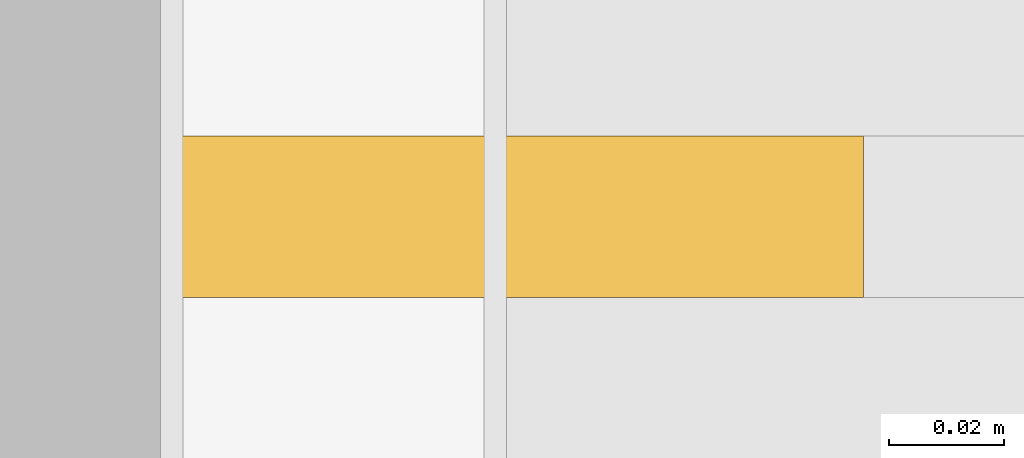
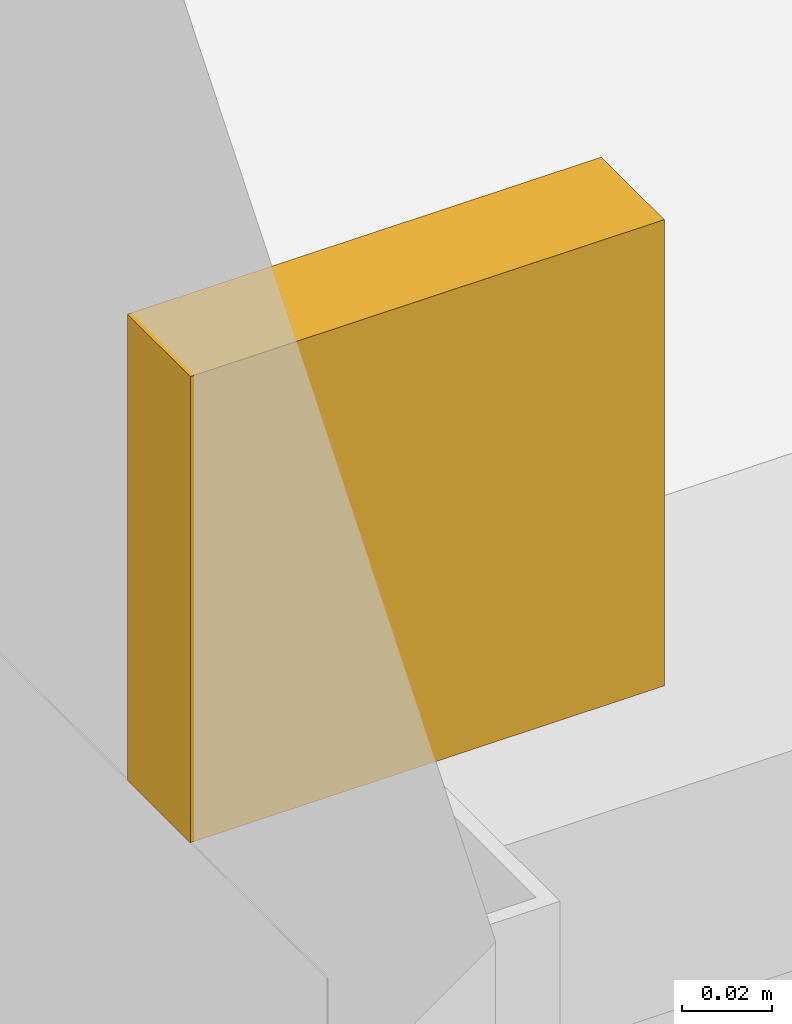
# One storey, part 126 of 130: 1 covering.
"""IFC4 building model written with IfcOpenShell, lengths in metres."""

import ifcopenshell
import ifcopenshell.guid

model = None  # the IFC model being written
_history = None  # IfcOwnerHistory: only IFC2X3 demands one
_inside = {}  # id of a spatial element -> (the spatial element, [elements in it])
_under = {}  # id of a project, library or spatial element -> (it, [spatial elements below it])
_declared = {}  # id of a project -> (the project, [libraries it declares])
_typed = {}  # id of a type object -> (the type object, [elements of that type])
_made_of = {}  # id of a material, layer set ... -> (it, [elements and type objects made of it])


def new_model(schema):
    """Start an empty IFC model of exactly this schema.

    Asked for "IFC4X3", IfcOpenShell would pick the latest addendum, in which some entities
    have other attributes; the version numbers below select the first issue.
    IFC2X3 requires an IfcOwnerHistory on every rooted entity: one is made here for all.
    """
    global model, _history
    if schema == "IFC4X3":
        model = ifcopenshell.file(schema_version=(4, 3, 0, 0))
    else:
        model = ifcopenshell.file(schema=schema)
    _inside.clear()
    _under.clear()
    _declared.clear()
    _typed.clear()
    _made_of.clear()
    _history = None
    if model.schema == "IFC2X3":
        org = make("IfcOrganization", Name="unknown")
        user = make(
            "IfcPersonAndOrganization",
            ThePerson=make("IfcPerson", FamilyName="unknown"),
            TheOrganization=org,
        )
        app = make(
            "IfcApplication",
            ApplicationDeveloper=org,
            Version="unknown",
            ApplicationFullName="unknown",
            ApplicationIdentifier="unknown",
        )
        _history = make(
            "IfcOwnerHistory",
            OwningUser=user,
            OwningApplication=app,
            ChangeAction="ADDED",
            CreationDate=0,
        )
    return model


def make(cls, **values):
    """One entity of the class cls with the attributes given. An attribute that is None is left unset."""
    return model.create_entity(
        cls, **{name: value for name, value in values.items() if value is not None}
    )


def rooted(cls, **values):
    """An entity with a GlobalId (a new one), such as an element, a storey or a relation."""
    return make(cls, GlobalId=ifcopenshell.guid.new(), OwnerHistory=_history, **values)


def si_unit(unit_type, name, prefix=None):
    """IfcSIUnit, for example si_unit("LENGTHUNIT", "METRE", prefix="MILLI")."""
    return make("IfcSIUnit", UnitType=unit_type, Prefix=prefix, Name=name)


def assignment(units):
    """IfcUnitAssignment: the units of a project."""
    return None if units is None else make("IfcUnitAssignment", Units=units)


def point(xyz):
    """IfcCartesianPoint."""
    return None if xyz is None else make("IfcCartesianPoint", Coordinates=xyz)


def direction(xyz):
    """IfcDirection."""
    return None if xyz is None else make("IfcDirection", DirectionRatios=xyz)


def frame(location, z_axis=None, x_axis=None):
    """IfcAxis2Placement3D, a coordinate frame: its origin and axes. An axis left out is left unset."""
    return make(
        "IfcAxis2Placement3D",
        Location=point(location),
        Axis=direction(z_axis),
        RefDirection=direction(x_axis),
    )


def frame_2d(location, x_axis=None):
    """IfcAxis2Placement2D, a coordinate frame in the plane: its origin and x axis."""
    return make(
        "IfcAxis2Placement2D", Location=point(location), RefDirection=direction(x_axis)
    )


def origin():
    """The frame at (0, 0, 0) with its axes left unset."""
    return frame((0.0, 0.0, 0.0))


def origin_2d():
    """The frame at (0, 0) in the plane with its x axis left unset."""
    return frame_2d((0.0, 0.0))


def place(relative_to, where):
    """IfcLocalPlacement: puts the frame where relative to a parent placement (None: the world)."""
    return make(
        "IfcLocalPlacement", PlacementRelTo=relative_to, RelativePlacement=where
    )


def context(
    kind, dimensions, precision=None, world=None, true_north=None, identifier=None
):
    """IfcGeometricRepresentationContext, for example the 3D "Model" context."""
    return make(
        "IfcGeometricRepresentationContext",
        ContextIdentifier=identifier,
        ContextType=kind,
        CoordinateSpaceDimension=dimensions,
        Precision=precision,
        WorldCoordinateSystem=world,
        TrueNorth=true_north,
    )


def subcontext(parent, identifier, kind, view, scale=None):
    """IfcGeometricRepresentationSubContext, for example "Body" below "Model"."""
    return make(
        "IfcGeometricRepresentationSubContext",
        ContextIdentifier=identifier,
        ContextType=kind,
        ParentContext=parent,
        TargetScale=scale,
        TargetView=view,
    )


def project(units=None, contexts=None):
    """IfcProject with its units and contexts."""
    return rooted(
        "IfcProject",
        Name="project",
        RepresentationContexts=contexts,
        UnitsInContext=assignment(units),
    )


def spatial(cls, under=None, at=None, **own):
    """A site, building, storey or space (cls), placed at a placement, below another one or the project."""
    s = rooted(cls, ObjectPlacement=at, **own)
    if under is not None:
        _under.setdefault(under.id(), (under, []))[1].append(s)
    return s


def profile(cls, at=None, kind="AREA", **sizes):
    """A parametric profile (cls). Its sizes go by their IFC names, for example OverallWidth=200.0."""
    return make(cls, ProfileType=kind, Position=at, **sizes)


def rectangle(**sizes):
    """IfcRectangleProfileDef."""
    return profile("IfcRectangleProfileDef", **sizes)


def extrude(swept, where, along, depth):
    """IfcExtrudedAreaSolid: the profile swept, set in the frame where, extruded along a direction by depth."""
    return make(
        "IfcExtrudedAreaSolid",
        SweptArea=swept,
        Position=where,
        ExtrudedDirection=direction(along),
        Depth=depth,
    )


def shape(context_of_items, identifier, shape_type, items):
    """IfcShapeRepresentation: the items that make up one representation, for example the "Body"."""
    return make(
        "IfcShapeRepresentation",
        ContextOfItems=context_of_items,
        RepresentationIdentifier=identifier,
        RepresentationType=shape_type,
        Items=items,
    )


def material(Name=None, Category=None):
    """IfcMaterial."""
    return make("IfcMaterial", Name=Name, Category=Category)


def layer(
    of_material, thickness, ventilated=None, Name=None, Category=None, Priority=None
):
    """IfcMaterialLayer: one layer of a wall or slab, of a material (None: an air gap)."""
    return make(
        "IfcMaterialLayer",
        Material=of_material,
        LayerThickness=thickness,
        IsVentilated=ventilated,
        Name=Name,
        Category=Category,
        Priority=Priority,
    )


def layer_set(layers, Name=None):
    """IfcMaterialLayerSet."""
    return make("IfcMaterialLayerSet", MaterialLayers=layers, LayerSetName=Name)


def made_of(thing, what):
    """Note that an element or type object is made of a material, layer set ...; save() writes the relation."""
    if what is not None:
        _made_of.setdefault(what.id(), (what, []))[1].append(thing)
    return thing


def type_object(cls, material=None, **own):
    """A type object (cls), such as IfcWallType, which elements share."""
    return made_of(rooted(cls, **own), material)


def element(
    cls,
    number,
    at=None,
    inside=None,
    cuts=None,
    type_object=None,
    material=None,
    context=None,
    identifier="Body",
    shape_type=None,
    held_by="IfcProductDefinitionShape",
    body=None,
    shapes=None,
    **own,
):
    """One element of the class cls, such as IfcWall. Its Tag is "e" and its number.

    at: its placement. inside: the storey or other place that contains it. cuts: it is an
    opening in that element (IfcRelVoidsElement). A single representation is given by context,
    identifier, shape_type and body (its items); several are given by shapes. held_by: the class
    of the entity that holds the representations. save() writes the other relations.
    """
    e = rooted(cls, Tag="e%d" % number, ObjectPlacement=at, **own)
    if body is not None:
        shapes = [shape(context, identifier, shape_type, body)]
    if shapes is not None:
        e.Representation = make(held_by, Representations=shapes)
    if inside is not None:
        _inside.setdefault(inside.id(), (inside, []))[1].append(e)
    if cuts is not None:
        rooted(
            "IfcRelVoidsElement", RelatingBuildingElement=cuts, RelatedOpeningElement=e
        )
    if type_object is not None:
        _typed.setdefault(type_object.id(), (type_object, []))[1].append(e)
    return made_of(e, material)


def aggregate(whole, parts):
    """IfcRelAggregates: a whole, such as a stair, and the parts it consists of."""
    return rooted("IfcRelAggregates", RelatingObject=whole, RelatedObjects=parts)


def save(model, path):
    """Write the relations noted so far, then the file.

    IfcRelAggregates (storeys below a building ...), IfcRelContainedInSpatialStructure (elements
    in a storey), IfcRelDefinesByType, IfcRelAssociatesMaterial and IfcRelDeclares: one each for
    every whole, place, type object, material and project.
    """
    for whole, parts in _under.values():
        aggregate(whole, parts)
    for where, things in _inside.values():
        rooted(
            "IfcRelContainedInSpatialStructure",
            RelatedElements=things,
            RelatingStructure=where,
        )
    for kind, things in _typed.values():
        rooted("IfcRelDefinesByType", RelatedObjects=things, RelatingType=kind)
    for what, things in _made_of.values():
        rooted("IfcRelAssociatesMaterial", RelatedObjects=things, RelatingMaterial=what)
    for by, libraries in _declared.values():
        rooted("IfcRelDeclares", RelatingContext=by, RelatedDefinitions=libraries)
    model.write(path)


model = new_model("IFC4")

# Units and contexts
model_context = context("Model", 3, precision=1e-05, world=origin(), true_north=direction((0.0, 1.0)))
body_context = subcontext(model_context, "Body", "Model", "MODEL_VIEW")
ifc_project = project(units=[si_unit("LENGTHUNIT", "METRE"), si_unit("AREAUNIT", "SQUARE_METRE"), si_unit("VOLUMEUNIT", "CUBIC_METRE"), si_unit("PLANEANGLEUNIT", "RADIAN"), si_unit("MASSUNIT", "GRAM", prefix="KILO")], contexts=[model_context])

# Site, building, storey
site_placement = place(None, origin())
site = spatial("IfcSite", under=ifc_project, at=site_placement, CompositionType="ELEMENT")
building_placement = place(site_placement, origin())
building = spatial("IfcBuilding", under=site, at=building_placement, Name="Parallax Yard Mobility Hub", CompositionType="ELEMENT")
storey_placement = place(building_placement, origin())
storey = spatial("IfcBuildingStorey", under=building, at=storey_placement, Name="L00", CompositionType="ELEMENT", Elevation=0.0)

# Covering
ifc_material = material(Name="Insulated aluminium spandrel panel", Category="aluminium")
ifc_layer = layer(ifc_material, 0.028076171875)
ifc_layer_set = layer_set([ifc_layer], Name="Curtain wall spandrel closer, insulated aluminium 28")
covering_type = type_object("IfcCoveringType", Name="Curtain wall spandrel closer, insulated aluminium 28", PredefinedType="CLADDING", material=ifc_layer_set)
covering_placement = place(storey_placement, frame((87.31494140625, 112.800048828125, 2.5), z_axis=(0.0, 0.0, 1.0), x_axis=(1.0, 0.0, 0.0)))
element("IfcCovering", 1, at=covering_placement, inside=storey, type_object=covering_type, Name="Curtain wall CW10 level L00 bay 7 spandrel closer 1", ObjectType="SCREEN", PredefinedType="CLADDING", context=body_context, shape_type="SweptSolid", body=[
    extrude(rectangle(XDim=0.1220703125, YDim=0.028076171875, at=origin_2d()), origin(), (0.0, 0.0, 1.0), 0.126953125),
])

save(model, "model.ifc")
